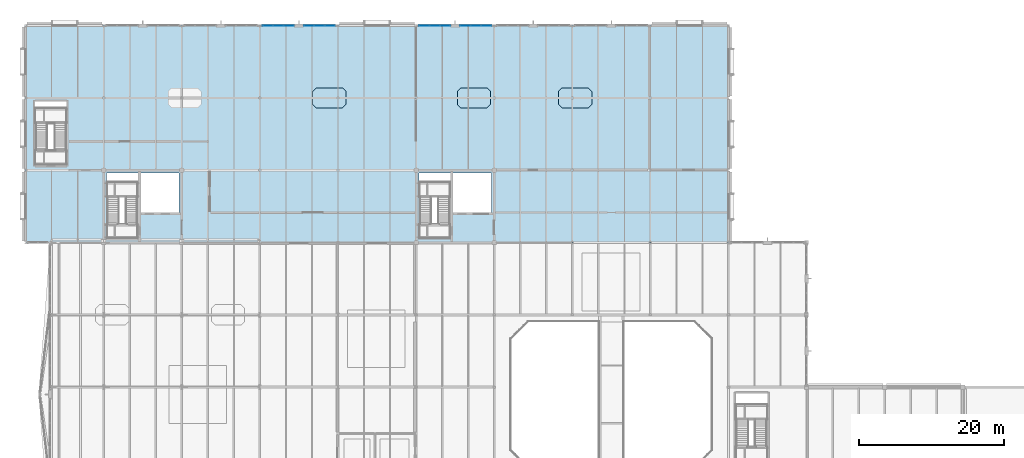
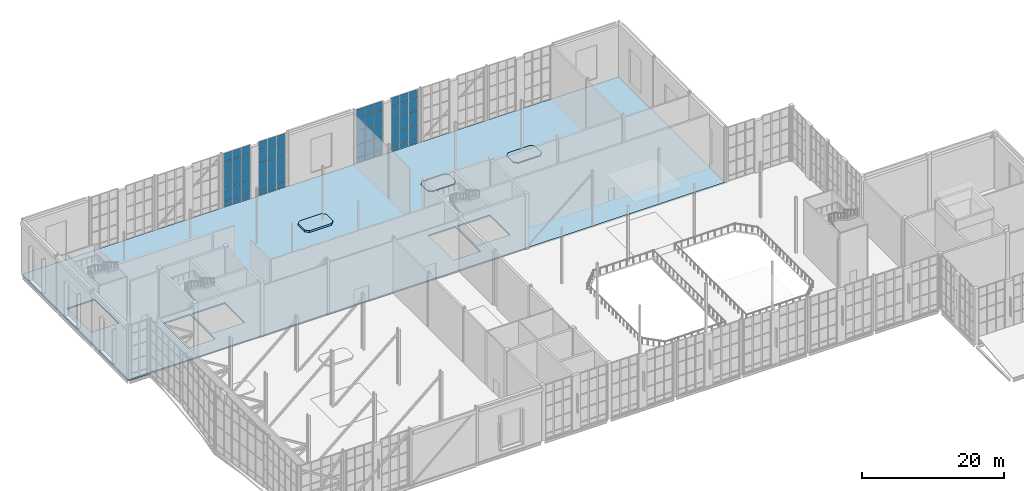
# One storey, part 71 of 100: 60 plates, 4 slabs, 4 elements without a shape of their own.
"""IFC4 building model written with IfcOpenShell, lengths in metres."""

from ifc_helpers import new_model, si_unit, direction, frame, origin, origin_2d, place, context, subcontext, project, spatial, polyline, rectangle, outline, extrude, material, layer, layer_set, type_object, element, aggregate, save


model = new_model("IFC4")

# Units and contexts
model_context = context("Model", 3, precision=1e-05, world=origin(), true_north=direction((0.0, 1.0)))
body_context = subcontext(model_context, "Body", "Model", "MODEL_VIEW")
ifc_project = project(units=[si_unit("LENGTHUNIT", "METRE"), si_unit("AREAUNIT", "SQUARE_METRE"), si_unit("VOLUMEUNIT", "CUBIC_METRE"), si_unit("PLANEANGLEUNIT", "RADIAN"), si_unit("MASSUNIT", "GRAM", prefix="KILO")], contexts=[model_context])

# Site, building, storey
site_placement = place(None, origin())
site = spatial("IfcSite", under=ifc_project, at=site_placement, CompositionType="ELEMENT")
building_placement = place(site_placement, origin())
building = spatial("IfcBuilding", under=site, at=building_placement, Name="Tasgan Crest Museum", CompositionType="ELEMENT")
storey_placement = place(building_placement, frame((0.0, 0.0, 14.39990234375)))
storey = spatial("IfcBuildingStorey", under=building, at=storey_placement, Name="L03", CompositionType="ELEMENT", Elevation=14.39990234375)

# Curtain wall, plates
ifc_material_1 = material(Name="Triple-Glazed Aluminium Curtain Wall", Category="aluminium")
ifc_layer_1 = layer(ifc_material_1, 0.179931640625, Name="CW-CORE-STRIP-96")
ifc_layer_set_1 = layer_set([ifc_layer_1], Name="Triple-Glazed Aluminium Curtain Wall")
curtain_wall_type_1 = type_object("IfcCurtainWallType", Name="CW-CORE-STRIP-96", PredefinedType="NOTDEFINED", material=ifc_layer_set_1)
curtain_wall_1_placement = place(storey_placement, origin())
curtain_wall_1 = element("IfcCurtainWall", 1, at=curtain_wall_1_placement, inside=storey, type_object=curtain_wall_type_1, Name="Curtain wall L03 129", PredefinedType="NOTDEFINED")
ifc_material_2 = material(Name="Insulated Spandrel Glass", Category="glass")
ifc_layer_2 = layer(ifc_material_2, 0.052001953125, Name="CW-PANEL-SPANDREL")
ifc_layer_set_2 = layer_set([ifc_layer_2], Name="Insulated Spandrel Glass")
plate_type_1 = type_object("IfcPlateType", Name="CW-PANEL-SPANDREL", PredefinedType="CURTAIN_PANEL", material=ifc_layer_set_2)
plate_1_placement = place(storey_placement, frame((63.688232421875, 112.0, 0.06005859375), z_axis=(0.0, 0.0, 1.0), x_axis=(-1.0, 0.0, 0.0)))
plate_1 = element("IfcPlate", 2, at=plate_1_placement, type_object=plate_type_1, Name="CW20 panel 1.1", PredefinedType="CURTAIN_PANEL", context=body_context, shape_type="SweptSolid", body=[
    extrude(rectangle(XDim=1.373291015625, YDim=0.028076171875, at=origin_2d()), origin(), (0.0, 0.0, 1.0), 0.81005859375),
])
plate_2_placement = place(storey_placement, frame((62.239990234375, 112.0, 0.06005859375), z_axis=(0.0, 0.0, 1.0), x_axis=(-1.0, 0.0, 0.0)))
plate_2 = element("IfcPlate", 3, at=plate_2_placement, type_object=plate_type_1, Name="CW20 panel 2.1", PredefinedType="CURTAIN_PANEL", context=body_context, shape_type="SweptSolid", body=[
    extrude(rectangle(XDim=1.4033203125, YDim=0.028076171875, at=origin_2d()), origin(), (0.0, 0.0, 1.0), 0.81005859375),
])
plate_3_placement = place(storey_placement, frame((60.791748046875, 112.0, 0.06005859375), z_axis=(0.0, 0.0, 1.0), x_axis=(-1.0, 0.0, 0.0)))
plate_3 = element("IfcPlate", 4, at=plate_3_placement, type_object=plate_type_1, Name="CW20 panel 3.1", PredefinedType="CURTAIN_PANEL", context=body_context, shape_type="SweptSolid", body=[
    extrude(rectangle(XDim=1.373291015625, YDim=0.028076171875, at=origin_2d()), origin(), (0.0, 0.0, 1.0), 0.81005859375),
])

curtain_wall_2_placement = place(storey_placement, origin())
curtain_wall_2 = element("IfcCurtainWall", 5, at=curtain_wall_2_placement, inside=storey, type_object=curtain_wall_type_1, Name="Curtain wall L03 130", PredefinedType="NOTDEFINED")
plate_4_placement = place(storey_placement, frame((58.00830078125, 112.0, 0.06005859375), z_axis=(0.0, 0.0, 1.0), x_axis=(-1.0, 0.0, 0.0)))
plate_4 = element("IfcPlate", 6, at=plate_4_placement, type_object=plate_type_1, Name="CW20 panel 1.1", PredefinedType="CURTAIN_PANEL", context=body_context, shape_type="SweptSolid", body=[
    extrude(rectangle(XDim=1.373291015625, YDim=0.028076171875, at=origin_2d()), origin(), (0.0, 0.0, 1.0), 0.81005859375),
])
plate_5_placement = place(storey_placement, frame((56.56005859375, 112.0, 0.06005859375), z_axis=(0.0, 0.0, 1.0), x_axis=(-1.0, 0.0, 0.0)))
plate_5 = element("IfcPlate", 7, at=plate_5_placement, type_object=plate_type_1, Name="CW20 panel 2.1", PredefinedType="CURTAIN_PANEL", context=body_context, shape_type="SweptSolid", body=[
    extrude(rectangle(XDim=1.4033203125, YDim=0.028076171875, at=origin_2d()), origin(), (0.0, 0.0, 1.0), 0.81005859375),
])
plate_6_placement = place(storey_placement, frame((55.111572265625, 112.0, 0.06005859375), z_axis=(0.0, 0.0, 1.0), x_axis=(-1.0, 0.0, 0.0)))
plate_6 = element("IfcPlate", 8, at=plate_6_placement, type_object=plate_type_1, Name="CW20 panel 3.1", PredefinedType="CURTAIN_PANEL", context=body_context, shape_type="SweptSolid", body=[
    extrude(rectangle(XDim=1.373291015625, YDim=0.028076171875, at=origin_2d()), origin(), (0.0, 0.0, 1.0), 0.81005859375),
])

ifc_material_3 = material(Name="Triple-Glazed Aluminium Curtain Wall", Category="aluminium")
ifc_layer_3 = layer(ifc_material_3, 0.179931640625, Name="CW-GAL-X-96")
ifc_layer_set_3 = layer_set([ifc_layer_3], Name="Triple-Glazed Aluminium Curtain Wall")
curtain_wall_type_2 = type_object("IfcCurtainWallType", Name="CW-GAL-X-96", PredefinedType="NOTDEFINED", material=ifc_layer_set_3)
curtain_wall_3_placement = place(storey_placement, origin())
curtain_wall_3 = element("IfcCurtainWall", 9, at=curtain_wall_3_placement, inside=storey, type_object=curtain_wall_type_2, Name="Curtain wall L03 131", PredefinedType="NOTDEFINED")
plate_7_placement = place(storey_placement, frame((42.08837890625, 112.0, 0.06005859375), z_axis=(0.0, 0.0, 1.0), x_axis=(-1.0, 0.0, 0.0)))
plate_7 = element("IfcPlate", 10, at=plate_7_placement, type_object=plate_type_1, Name="CW14 panel 1.1", PredefinedType="CURTAIN_PANEL", context=body_context, shape_type="SweptSolid", body=[
    extrude(rectangle(XDim=1.373291015625, YDim=0.028076171875, at=origin_2d()), origin(), (0.0, 0.0, 1.0), 0.81005859375),
])
plate_8_placement = place(storey_placement, frame((40.639892578125, 112.0, 0.06005859375), z_axis=(0.0, 0.0, 1.0), x_axis=(-1.0, 0.0, 0.0)))
plate_8 = element("IfcPlate", 11, at=plate_8_placement, type_object=plate_type_1, Name="CW14 panel 2.1", PredefinedType="CURTAIN_PANEL", context=body_context, shape_type="SweptSolid", body=[
    extrude(rectangle(XDim=1.4033203125, YDim=0.028076171875, at=origin_2d()), origin(), (0.0, 0.0, 1.0), 0.81005859375),
])
plate_9_placement = place(storey_placement, frame((39.191650390625, 112.0, 0.06005859375), z_axis=(0.0, 0.0, 1.0), x_axis=(-1.0, 0.0, 0.0)))
plate_9 = element("IfcPlate", 12, at=plate_9_placement, type_object=plate_type_1, Name="CW14 panel 3.1", PredefinedType="CURTAIN_PANEL", context=body_context, shape_type="SweptSolid", body=[
    extrude(rectangle(XDim=1.373291015625, YDim=0.028076171875, at=origin_2d()), origin(), (0.0, 0.0, 1.0), 0.81005859375),
])

curtain_wall_4_placement = place(storey_placement, origin())
curtain_wall_4 = element("IfcCurtainWall", 13, at=curtain_wall_4_placement, inside=storey, type_object=curtain_wall_type_2, Name="Curtain wall L03 132", PredefinedType="NOTDEFINED")
plate_10_placement = place(storey_placement, frame((36.408447265625, 112.0, 0.06005859375), z_axis=(0.0, 0.0, 1.0), x_axis=(-1.0, 0.0, 0.0)))
plate_10 = element("IfcPlate", 14, at=plate_10_placement, type_object=plate_type_1, Name="CW14 panel 1.1", PredefinedType="CURTAIN_PANEL", context=body_context, shape_type="SweptSolid", body=[
    extrude(rectangle(XDim=1.373291015625, YDim=0.028076171875, at=origin_2d()), origin(), (0.0, 0.0, 1.0), 0.81005859375),
])
plate_11_placement = place(storey_placement, frame((34.9599609375, 112.0, 0.06005859375), z_axis=(0.0, 0.0, 1.0), x_axis=(-1.0, 0.0, 0.0)))
plate_11 = element("IfcPlate", 15, at=plate_11_placement, type_object=plate_type_1, Name="CW14 panel 2.1", PredefinedType="CURTAIN_PANEL", context=body_context, shape_type="SweptSolid", body=[
    extrude(rectangle(XDim=1.4033203125, YDim=0.028076171875, at=origin_2d()), origin(), (0.0, 0.0, 1.0), 0.81005859375),
])
plate_12_placement = place(storey_placement, frame((33.51171875, 112.0, 0.06005859375), z_axis=(0.0, 0.0, 1.0), x_axis=(-1.0, 0.0, 0.0)))
plate_12 = element("IfcPlate", 16, at=plate_12_placement, type_object=plate_type_1, Name="CW14 panel 3.1", PredefinedType="CURTAIN_PANEL", context=body_context, shape_type="SweptSolid", body=[
    extrude(rectangle(XDim=1.373291015625, YDim=0.028076171875, at=origin_2d()), origin(), (0.0, 0.0, 1.0), 0.81005859375),
])

# Plate
ifc_material_4 = material(Name="Low-E Triple Glazing", Category="glass")
ifc_layer_4 = layer(ifc_material_4, 0.0439453125, Name="CW-PANEL-TRIPLE")
ifc_layer_set_4 = layer_set([ifc_layer_4], Name="Low-E Triple Glazing")
plate_type_2 = type_object("IfcPlateType", Name="CW-PANEL-TRIPLE", PredefinedType="CURTAIN_PANEL", material=ifc_layer_set_4)
plate_13_placement = place(storey_placement, frame((63.688232421875, 112.0, 0.93017578125), z_axis=(0.0, 0.0, 1.0), x_axis=(-1.0, 0.0, 0.0)))
plate_13 = element("IfcPlate", 17, at=plate_13_placement, type_object=plate_type_2, Name="CW20 panel 1.2", PredefinedType="CURTAIN_PANEL", context=body_context, shape_type="SweptSolid", body=[
    extrude(rectangle(XDim=1.373291015625, YDim=0.028076171875, at=origin_2d()), origin(), (0.0, 0.0, 1.0), 2.239990234375),
])

plate_14_placement = place(storey_placement, frame((63.688232421875, 112.0, 3.22998046875), z_axis=(0.0, 0.0, 1.0), x_axis=(-1.0, 0.0, 0.0)))
plate_14 = element("IfcPlate", 18, at=plate_14_placement, type_object=plate_type_2, Name="CW20 panel 1.3", PredefinedType="CURTAIN_PANEL", context=body_context, shape_type="SweptSolid", body=[
    extrude(rectangle(XDim=1.373291015625, YDim=0.028076171875, at=origin_2d()), origin(), (0.0, 0.0, 1.0), 2.340087890625),
])

plate_15_placement = place(storey_placement, frame((63.688232421875, 112.0, 5.63037109375), z_axis=(0.0, 0.0, 1.0), x_axis=(-1.0, 0.0, 0.0)))
plate_15 = element("IfcPlate", 19, at=plate_15_placement, type_object=plate_type_2, Name="CW20 panel 1.4", PredefinedType="CURTAIN_PANEL", context=body_context, shape_type="SweptSolid", body=[
    extrude(rectangle(XDim=1.373291015625, YDim=0.028076171875, at=origin_2d()), origin(), (0.0, 0.0, 1.0), 2.139892578125),
])

plate_16_placement = place(storey_placement, frame((63.688232421875, 112.0, 7.830078125), z_axis=(0.0, 0.0, 1.0), x_axis=(-1.0, 0.0, 0.0)))
plate_16 = element("IfcPlate", 20, at=plate_16_placement, type_object=plate_type_2, Name="CW20 panel 1.5", PredefinedType="CURTAIN_PANEL", context=body_context, shape_type="SweptSolid", body=[
    extrude(rectangle(XDim=1.373291015625, YDim=0.028076171875, at=origin_2d()), origin(), (0.0, 0.0, 1.0), 1.469970703125),
])

plate_17_placement = place(storey_placement, frame((62.239990234375, 112.0, 0.93017578125), z_axis=(0.0, 0.0, 1.0), x_axis=(-1.0, 0.0, 0.0)))
plate_17 = element("IfcPlate", 21, at=plate_17_placement, type_object=plate_type_2, Name="CW20 panel 2.2", PredefinedType="CURTAIN_PANEL", context=body_context, shape_type="SweptSolid", body=[
    extrude(rectangle(XDim=1.4033203125, YDim=0.028076171875, at=origin_2d()), origin(), (0.0, 0.0, 1.0), 2.239990234375),
])

plate_18_placement = place(storey_placement, frame((62.239990234375, 112.0, 3.22998046875), z_axis=(0.0, 0.0, 1.0), x_axis=(-1.0, 0.0, 0.0)))
plate_18 = element("IfcPlate", 22, at=plate_18_placement, type_object=plate_type_2, Name="CW20 panel 2.3", PredefinedType="CURTAIN_PANEL", context=body_context, shape_type="SweptSolid", body=[
    extrude(rectangle(XDim=1.4033203125, YDim=0.028076171875, at=origin_2d()), origin(), (0.0, 0.0, 1.0), 2.340087890625),
])

plate_19_placement = place(storey_placement, frame((62.239990234375, 112.0, 5.63037109375), z_axis=(0.0, 0.0, 1.0), x_axis=(-1.0, 0.0, 0.0)))
plate_19 = element("IfcPlate", 23, at=plate_19_placement, type_object=plate_type_2, Name="CW20 panel 2.4", PredefinedType="CURTAIN_PANEL", context=body_context, shape_type="SweptSolid", body=[
    extrude(rectangle(XDim=1.4033203125, YDim=0.028076171875, at=origin_2d()), origin(), (0.0, 0.0, 1.0), 2.139892578125),
])

plate_20_placement = place(storey_placement, frame((62.239990234375, 112.0, 7.830078125), z_axis=(0.0, 0.0, 1.0), x_axis=(-1.0, 0.0, 0.0)))
plate_20 = element("IfcPlate", 24, at=plate_20_placement, type_object=plate_type_2, Name="CW20 panel 2.5", PredefinedType="CURTAIN_PANEL", context=body_context, shape_type="SweptSolid", body=[
    extrude(rectangle(XDim=1.4033203125, YDim=0.028076171875, at=origin_2d()), origin(), (0.0, 0.0, 1.0), 1.469970703125),
])

plate_21_placement = place(storey_placement, frame((60.791748046875, 112.0, 0.93017578125), z_axis=(0.0, 0.0, 1.0), x_axis=(-1.0, 0.0, 0.0)))
plate_21 = element("IfcPlate", 25, at=plate_21_placement, type_object=plate_type_2, Name="CW20 panel 3.2", PredefinedType="CURTAIN_PANEL", context=body_context, shape_type="SweptSolid", body=[
    extrude(rectangle(XDim=1.373291015625, YDim=0.028076171875, at=origin_2d()), origin(), (0.0, 0.0, 1.0), 2.239990234375),
])

plate_22_placement = place(storey_placement, frame((60.791748046875, 112.0, 3.22998046875), z_axis=(0.0, 0.0, 1.0), x_axis=(-1.0, 0.0, 0.0)))
plate_22 = element("IfcPlate", 26, at=plate_22_placement, type_object=plate_type_2, Name="CW20 panel 3.3", PredefinedType="CURTAIN_PANEL", context=body_context, shape_type="SweptSolid", body=[
    extrude(rectangle(XDim=1.373291015625, YDim=0.028076171875, at=origin_2d()), origin(), (0.0, 0.0, 1.0), 2.340087890625),
])

plate_23_placement = place(storey_placement, frame((60.791748046875, 112.0, 5.63037109375), z_axis=(0.0, 0.0, 1.0), x_axis=(-1.0, 0.0, 0.0)))
plate_23 = element("IfcPlate", 27, at=plate_23_placement, type_object=plate_type_2, Name="CW20 panel 3.4", PredefinedType="CURTAIN_PANEL", context=body_context, shape_type="SweptSolid", body=[
    extrude(rectangle(XDim=1.373291015625, YDim=0.028076171875, at=origin_2d()), origin(), (0.0, 0.0, 1.0), 2.139892578125),
])

plate_24_placement = place(storey_placement, frame((60.791748046875, 112.0, 7.830078125), z_axis=(0.0, 0.0, 1.0), x_axis=(-1.0, 0.0, 0.0)))
plate_24 = element("IfcPlate", 28, at=plate_24_placement, type_object=plate_type_2, Name="CW20 panel 3.5", PredefinedType="CURTAIN_PANEL", context=body_context, shape_type="SweptSolid", body=[
    extrude(rectangle(XDim=1.373291015625, YDim=0.028076171875, at=origin_2d()), origin(), (0.0, 0.0, 1.0), 1.469970703125),
])

aggregate(curtain_wall_1, [plate_1, plate_13, plate_14, plate_15, plate_16, plate_2, plate_17, plate_18, plate_19, plate_20, plate_3, plate_21, plate_22, plate_23, plate_24])

plate_25_placement = place(storey_placement, frame((58.00830078125, 112.0, 0.93017578125), z_axis=(0.0, 0.0, 1.0), x_axis=(-1.0, 0.0, 0.0)))
plate_25 = element("IfcPlate", 29, at=plate_25_placement, type_object=plate_type_2, Name="CW20 panel 1.2", PredefinedType="CURTAIN_PANEL", context=body_context, shape_type="SweptSolid", body=[
    extrude(rectangle(XDim=1.373291015625, YDim=0.028076171875, at=origin_2d()), origin(), (0.0, 0.0, 1.0), 2.239990234375),
])

plate_26_placement = place(storey_placement, frame((58.00830078125, 112.0, 3.22998046875), z_axis=(0.0, 0.0, 1.0), x_axis=(-1.0, 0.0, 0.0)))
plate_26 = element("IfcPlate", 30, at=plate_26_placement, type_object=plate_type_2, Name="CW20 panel 1.3", PredefinedType="CURTAIN_PANEL", context=body_context, shape_type="SweptSolid", body=[
    extrude(rectangle(XDim=1.373291015625, YDim=0.028076171875, at=origin_2d()), origin(), (0.0, 0.0, 1.0), 2.340087890625),
])

plate_27_placement = place(storey_placement, frame((58.00830078125, 112.0, 5.63037109375), z_axis=(0.0, 0.0, 1.0), x_axis=(-1.0, 0.0, 0.0)))
plate_27 = element("IfcPlate", 31, at=plate_27_placement, type_object=plate_type_2, Name="CW20 panel 1.4", PredefinedType="CURTAIN_PANEL", context=body_context, shape_type="SweptSolid", body=[
    extrude(rectangle(XDim=1.373291015625, YDim=0.028076171875, at=origin_2d()), origin(), (0.0, 0.0, 1.0), 2.139892578125),
])

plate_28_placement = place(storey_placement, frame((58.00830078125, 112.0, 7.830078125), z_axis=(0.0, 0.0, 1.0), x_axis=(-1.0, 0.0, 0.0)))
plate_28 = element("IfcPlate", 32, at=plate_28_placement, type_object=plate_type_2, Name="CW20 panel 1.5", PredefinedType="CURTAIN_PANEL", context=body_context, shape_type="SweptSolid", body=[
    extrude(rectangle(XDim=1.373291015625, YDim=0.028076171875, at=origin_2d()), origin(), (0.0, 0.0, 1.0), 1.469970703125),
])

plate_29_placement = place(storey_placement, frame((56.56005859375, 112.0, 0.93017578125), z_axis=(0.0, 0.0, 1.0), x_axis=(-1.0, 0.0, 0.0)))
plate_29 = element("IfcPlate", 33, at=plate_29_placement, type_object=plate_type_2, Name="CW20 panel 2.2", PredefinedType="CURTAIN_PANEL", context=body_context, shape_type="SweptSolid", body=[
    extrude(rectangle(XDim=1.4033203125, YDim=0.028076171875, at=origin_2d()), origin(), (0.0, 0.0, 1.0), 2.239990234375),
])

plate_30_placement = place(storey_placement, frame((56.56005859375, 112.0, 3.22998046875), z_axis=(0.0, 0.0, 1.0), x_axis=(-1.0, 0.0, 0.0)))
plate_30 = element("IfcPlate", 34, at=plate_30_placement, type_object=plate_type_2, Name="CW20 panel 2.3", PredefinedType="CURTAIN_PANEL", context=body_context, shape_type="SweptSolid", body=[
    extrude(rectangle(XDim=1.4033203125, YDim=0.028076171875, at=origin_2d()), origin(), (0.0, 0.0, 1.0), 2.340087890625),
])

plate_31_placement = place(storey_placement, frame((56.56005859375, 112.0, 5.63037109375), z_axis=(0.0, 0.0, 1.0), x_axis=(-1.0, 0.0, 0.0)))
plate_31 = element("IfcPlate", 35, at=plate_31_placement, type_object=plate_type_2, Name="CW20 panel 2.4", PredefinedType="CURTAIN_PANEL", context=body_context, shape_type="SweptSolid", body=[
    extrude(rectangle(XDim=1.4033203125, YDim=0.028076171875, at=origin_2d()), origin(), (0.0, 0.0, 1.0), 2.139892578125),
])

plate_32_placement = place(storey_placement, frame((56.56005859375, 112.0, 7.830078125), z_axis=(0.0, 0.0, 1.0), x_axis=(-1.0, 0.0, 0.0)))
plate_32 = element("IfcPlate", 36, at=plate_32_placement, type_object=plate_type_2, Name="CW20 panel 2.5", PredefinedType="CURTAIN_PANEL", context=body_context, shape_type="SweptSolid", body=[
    extrude(rectangle(XDim=1.4033203125, YDim=0.028076171875, at=origin_2d()), origin(), (0.0, 0.0, 1.0), 1.469970703125),
])

plate_33_placement = place(storey_placement, frame((55.111572265625, 112.0, 0.93017578125), z_axis=(0.0, 0.0, 1.0), x_axis=(-1.0, 0.0, 0.0)))
plate_33 = element("IfcPlate", 37, at=plate_33_placement, type_object=plate_type_2, Name="CW20 panel 3.2", PredefinedType="CURTAIN_PANEL", context=body_context, shape_type="SweptSolid", body=[
    extrude(rectangle(XDim=1.373291015625, YDim=0.028076171875, at=origin_2d()), origin(), (0.0, 0.0, 1.0), 2.239990234375),
])

plate_34_placement = place(storey_placement, frame((55.111572265625, 112.0, 3.22998046875), z_axis=(0.0, 0.0, 1.0), x_axis=(-1.0, 0.0, 0.0)))
plate_34 = element("IfcPlate", 38, at=plate_34_placement, type_object=plate_type_2, Name="CW20 panel 3.3", PredefinedType="CURTAIN_PANEL", context=body_context, shape_type="SweptSolid", body=[
    extrude(rectangle(XDim=1.373291015625, YDim=0.028076171875, at=origin_2d()), origin(), (0.0, 0.0, 1.0), 2.340087890625),
])

plate_35_placement = place(storey_placement, frame((55.111572265625, 112.0, 5.63037109375), z_axis=(0.0, 0.0, 1.0), x_axis=(-1.0, 0.0, 0.0)))
plate_35 = element("IfcPlate", 39, at=plate_35_placement, type_object=plate_type_2, Name="CW20 panel 3.4", PredefinedType="CURTAIN_PANEL", context=body_context, shape_type="SweptSolid", body=[
    extrude(rectangle(XDim=1.373291015625, YDim=0.028076171875, at=origin_2d()), origin(), (0.0, 0.0, 1.0), 2.139892578125),
])

plate_36_placement = place(storey_placement, frame((55.111572265625, 112.0, 7.830078125), z_axis=(0.0, 0.0, 1.0), x_axis=(-1.0, 0.0, 0.0)))
plate_36 = element("IfcPlate", 40, at=plate_36_placement, type_object=plate_type_2, Name="CW20 panel 3.5", PredefinedType="CURTAIN_PANEL", context=body_context, shape_type="SweptSolid", body=[
    extrude(rectangle(XDim=1.373291015625, YDim=0.028076171875, at=origin_2d()), origin(), (0.0, 0.0, 1.0), 1.469970703125),
])

aggregate(curtain_wall_2, [plate_4, plate_25, plate_26, plate_27, plate_28, plate_5, plate_29, plate_30, plate_31, plate_32, plate_6, plate_33, plate_34, plate_35, plate_36])

plate_37_placement = place(storey_placement, frame((42.08837890625, 112.0, 0.93017578125), z_axis=(0.0, 0.0, 1.0), x_axis=(-1.0, 0.0, 0.0)))
plate_37 = element("IfcPlate", 41, at=plate_37_placement, type_object=plate_type_2, Name="CW14 panel 1.2", PredefinedType="CURTAIN_PANEL", context=body_context, shape_type="SweptSolid", body=[
    extrude(rectangle(XDim=1.373291015625, YDim=0.028076171875, at=origin_2d()), origin(), (0.0, 0.0, 1.0), 2.239990234375),
])

plate_38_placement = place(storey_placement, frame((42.08837890625, 112.0, 3.22998046875), z_axis=(0.0, 0.0, 1.0), x_axis=(-1.0, 0.0, 0.0)))
plate_38 = element("IfcPlate", 42, at=plate_38_placement, type_object=plate_type_2, Name="CW14 panel 1.3", PredefinedType="CURTAIN_PANEL", context=body_context, shape_type="SweptSolid", body=[
    extrude(rectangle(XDim=1.373291015625, YDim=0.028076171875, at=origin_2d()), origin(), (0.0, 0.0, 1.0), 2.340087890625),
])

plate_39_placement = place(storey_placement, frame((42.08837890625, 112.0, 5.63037109375), z_axis=(0.0, 0.0, 1.0), x_axis=(-1.0, 0.0, 0.0)))
plate_39 = element("IfcPlate", 43, at=plate_39_placement, type_object=plate_type_2, Name="CW14 panel 1.4", PredefinedType="CURTAIN_PANEL", context=body_context, shape_type="SweptSolid", body=[
    extrude(rectangle(XDim=1.373291015625, YDim=0.028076171875, at=origin_2d()), origin(), (0.0, 0.0, 1.0), 2.139892578125),
])

plate_40_placement = place(storey_placement, frame((42.08837890625, 112.0, 7.830078125), z_axis=(0.0, 0.0, 1.0), x_axis=(-1.0, 0.0, 0.0)))
plate_40 = element("IfcPlate", 44, at=plate_40_placement, type_object=plate_type_2, Name="CW14 panel 1.5", PredefinedType="CURTAIN_PANEL", context=body_context, shape_type="SweptSolid", body=[
    extrude(rectangle(XDim=1.373291015625, YDim=0.028076171875, at=origin_2d()), origin(), (0.0, 0.0, 1.0), 1.469970703125),
])

plate_41_placement = place(storey_placement, frame((40.639892578125, 112.0, 0.93017578125), z_axis=(0.0, 0.0, 1.0), x_axis=(-1.0, 0.0, 0.0)))
plate_41 = element("IfcPlate", 45, at=plate_41_placement, type_object=plate_type_2, Name="CW14 panel 2.2", PredefinedType="CURTAIN_PANEL", context=body_context, shape_type="SweptSolid", body=[
    extrude(rectangle(XDim=1.4033203125, YDim=0.028076171875, at=origin_2d()), origin(), (0.0, 0.0, 1.0), 2.239990234375),
])

plate_42_placement = place(storey_placement, frame((40.639892578125, 112.0, 3.22998046875), z_axis=(0.0, 0.0, 1.0), x_axis=(-1.0, 0.0, 0.0)))
plate_42 = element("IfcPlate", 46, at=plate_42_placement, type_object=plate_type_2, Name="CW14 panel 2.3", PredefinedType="CURTAIN_PANEL", context=body_context, shape_type="SweptSolid", body=[
    extrude(rectangle(XDim=1.4033203125, YDim=0.028076171875, at=origin_2d()), origin(), (0.0, 0.0, 1.0), 2.340087890625),
])

plate_43_placement = place(storey_placement, frame((40.639892578125, 112.0, 5.63037109375), z_axis=(0.0, 0.0, 1.0), x_axis=(-1.0, 0.0, 0.0)))
plate_43 = element("IfcPlate", 47, at=plate_43_placement, type_object=plate_type_2, Name="CW14 panel 2.4", PredefinedType="CURTAIN_PANEL", context=body_context, shape_type="SweptSolid", body=[
    extrude(rectangle(XDim=1.4033203125, YDim=0.028076171875, at=origin_2d()), origin(), (0.0, 0.0, 1.0), 2.139892578125),
])

plate_44_placement = place(storey_placement, frame((40.639892578125, 112.0, 7.830078125), z_axis=(0.0, 0.0, 1.0), x_axis=(-1.0, 0.0, 0.0)))
plate_44 = element("IfcPlate", 48, at=plate_44_placement, type_object=plate_type_2, Name="CW14 panel 2.5", PredefinedType="CURTAIN_PANEL", context=body_context, shape_type="SweptSolid", body=[
    extrude(rectangle(XDim=1.4033203125, YDim=0.028076171875, at=origin_2d()), origin(), (0.0, 0.0, 1.0), 1.469970703125),
])

plate_45_placement = place(storey_placement, frame((39.191650390625, 112.0, 0.93017578125), z_axis=(0.0, 0.0, 1.0), x_axis=(-1.0, 0.0, 0.0)))
plate_45 = element("IfcPlate", 49, at=plate_45_placement, type_object=plate_type_2, Name="CW14 panel 3.2", PredefinedType="CURTAIN_PANEL", context=body_context, shape_type="SweptSolid", body=[
    extrude(rectangle(XDim=1.373291015625, YDim=0.028076171875, at=origin_2d()), origin(), (0.0, 0.0, 1.0), 2.239990234375),
])

plate_46_placement = place(storey_placement, frame((39.191650390625, 112.0, 3.22998046875), z_axis=(0.0, 0.0, 1.0), x_axis=(-1.0, 0.0, 0.0)))
plate_46 = element("IfcPlate", 50, at=plate_46_placement, type_object=plate_type_2, Name="CW14 panel 3.3", PredefinedType="CURTAIN_PANEL", context=body_context, shape_type="SweptSolid", body=[
    extrude(rectangle(XDim=1.373291015625, YDim=0.028076171875, at=origin_2d()), origin(), (0.0, 0.0, 1.0), 2.340087890625),
])

plate_47_placement = place(storey_placement, frame((39.191650390625, 112.0, 5.63037109375), z_axis=(0.0, 0.0, 1.0), x_axis=(-1.0, 0.0, 0.0)))
plate_47 = element("IfcPlate", 51, at=plate_47_placement, type_object=plate_type_2, Name="CW14 panel 3.4", PredefinedType="CURTAIN_PANEL", context=body_context, shape_type="SweptSolid", body=[
    extrude(rectangle(XDim=1.373291015625, YDim=0.028076171875, at=origin_2d()), origin(), (0.0, 0.0, 1.0), 2.139892578125),
])

plate_48_placement = place(storey_placement, frame((39.191650390625, 112.0, 7.830078125), z_axis=(0.0, 0.0, 1.0), x_axis=(-1.0, 0.0, 0.0)))
plate_48 = element("IfcPlate", 52, at=plate_48_placement, type_object=plate_type_2, Name="CW14 panel 3.5", PredefinedType="CURTAIN_PANEL", context=body_context, shape_type="SweptSolid", body=[
    extrude(rectangle(XDim=1.373291015625, YDim=0.028076171875, at=origin_2d()), origin(), (0.0, 0.0, 1.0), 1.469970703125),
])

aggregate(curtain_wall_3, [plate_7, plate_37, plate_38, plate_39, plate_40, plate_8, plate_41, plate_42, plate_43, plate_44, plate_9, plate_45, plate_46, plate_47, plate_48])

plate_49_placement = place(storey_placement, frame((36.408447265625, 112.0, 0.93017578125), z_axis=(0.0, 0.0, 1.0), x_axis=(-1.0, 0.0, 0.0)))
plate_49 = element("IfcPlate", 53, at=plate_49_placement, type_object=plate_type_2, Name="CW14 panel 1.2", PredefinedType="CURTAIN_PANEL", context=body_context, shape_type="SweptSolid", body=[
    extrude(rectangle(XDim=1.373291015625, YDim=0.028076171875, at=origin_2d()), origin(), (0.0, 0.0, 1.0), 2.239990234375),
])

plate_50_placement = place(storey_placement, frame((36.408447265625, 112.0, 3.22998046875), z_axis=(0.0, 0.0, 1.0), x_axis=(-1.0, 0.0, 0.0)))
plate_50 = element("IfcPlate", 54, at=plate_50_placement, type_object=plate_type_2, Name="CW14 panel 1.3", PredefinedType="CURTAIN_PANEL", context=body_context, shape_type="SweptSolid", body=[
    extrude(rectangle(XDim=1.373291015625, YDim=0.028076171875, at=origin_2d()), origin(), (0.0, 0.0, 1.0), 2.340087890625),
])

plate_51_placement = place(storey_placement, frame((36.408447265625, 112.0, 5.63037109375), z_axis=(0.0, 0.0, 1.0), x_axis=(-1.0, 0.0, 0.0)))
plate_51 = element("IfcPlate", 55, at=plate_51_placement, type_object=plate_type_2, Name="CW14 panel 1.4", PredefinedType="CURTAIN_PANEL", context=body_context, shape_type="SweptSolid", body=[
    extrude(rectangle(XDim=1.373291015625, YDim=0.028076171875, at=origin_2d()), origin(), (0.0, 0.0, 1.0), 2.139892578125),
])

plate_52_placement = place(storey_placement, frame((36.408447265625, 112.0, 7.830078125), z_axis=(0.0, 0.0, 1.0), x_axis=(-1.0, 0.0, 0.0)))
plate_52 = element("IfcPlate", 56, at=plate_52_placement, type_object=plate_type_2, Name="CW14 panel 1.5", PredefinedType="CURTAIN_PANEL", context=body_context, shape_type="SweptSolid", body=[
    extrude(rectangle(XDim=1.373291015625, YDim=0.028076171875, at=origin_2d()), origin(), (0.0, 0.0, 1.0), 1.469970703125),
])

plate_53_placement = place(storey_placement, frame((34.9599609375, 112.0, 0.93017578125), z_axis=(0.0, 0.0, 1.0), x_axis=(-1.0, 0.0, 0.0)))
plate_53 = element("IfcPlate", 57, at=plate_53_placement, type_object=plate_type_2, Name="CW14 panel 2.2", PredefinedType="CURTAIN_PANEL", context=body_context, shape_type="SweptSolid", body=[
    extrude(rectangle(XDim=1.4033203125, YDim=0.028076171875, at=origin_2d()), origin(), (0.0, 0.0, 1.0), 2.239990234375),
])

plate_54_placement = place(storey_placement, frame((34.9599609375, 112.0, 3.22998046875), z_axis=(0.0, 0.0, 1.0), x_axis=(-1.0, 0.0, 0.0)))
plate_54 = element("IfcPlate", 58, at=plate_54_placement, type_object=plate_type_2, Name="CW14 panel 2.3", PredefinedType="CURTAIN_PANEL", context=body_context, shape_type="SweptSolid", body=[
    extrude(rectangle(XDim=1.4033203125, YDim=0.028076171875, at=origin_2d()), origin(), (0.0, 0.0, 1.0), 2.340087890625),
])

plate_55_placement = place(storey_placement, frame((34.9599609375, 112.0, 5.63037109375), z_axis=(0.0, 0.0, 1.0), x_axis=(-1.0, 0.0, 0.0)))
plate_55 = element("IfcPlate", 59, at=plate_55_placement, type_object=plate_type_2, Name="CW14 panel 2.4", PredefinedType="CURTAIN_PANEL", context=body_context, shape_type="SweptSolid", body=[
    extrude(rectangle(XDim=1.4033203125, YDim=0.028076171875, at=origin_2d()), origin(), (0.0, 0.0, 1.0), 2.139892578125),
])

plate_56_placement = place(storey_placement, frame((34.9599609375, 112.0, 7.830078125), z_axis=(0.0, 0.0, 1.0), x_axis=(-1.0, 0.0, 0.0)))
plate_56 = element("IfcPlate", 60, at=plate_56_placement, type_object=plate_type_2, Name="CW14 panel 2.5", PredefinedType="CURTAIN_PANEL", context=body_context, shape_type="SweptSolid", body=[
    extrude(rectangle(XDim=1.4033203125, YDim=0.028076171875, at=origin_2d()), origin(), (0.0, 0.0, 1.0), 1.469970703125),
])

plate_57_placement = place(storey_placement, frame((33.51171875, 112.0, 0.93017578125), z_axis=(0.0, 0.0, 1.0), x_axis=(-1.0, 0.0, 0.0)))
plate_57 = element("IfcPlate", 61, at=plate_57_placement, type_object=plate_type_2, Name="CW14 panel 3.2", PredefinedType="CURTAIN_PANEL", context=body_context, shape_type="SweptSolid", body=[
    extrude(rectangle(XDim=1.373291015625, YDim=0.028076171875, at=origin_2d()), origin(), (0.0, 0.0, 1.0), 2.239990234375),
])

plate_58_placement = place(storey_placement, frame((33.51171875, 112.0, 3.22998046875), z_axis=(0.0, 0.0, 1.0), x_axis=(-1.0, 0.0, 0.0)))
plate_58 = element("IfcPlate", 62, at=plate_58_placement, type_object=plate_type_2, Name="CW14 panel 3.3", PredefinedType="CURTAIN_PANEL", context=body_context, shape_type="SweptSolid", body=[
    extrude(rectangle(XDim=1.373291015625, YDim=0.028076171875, at=origin_2d()), origin(), (0.0, 0.0, 1.0), 2.340087890625),
])

plate_59_placement = place(storey_placement, frame((33.51171875, 112.0, 5.63037109375), z_axis=(0.0, 0.0, 1.0), x_axis=(-1.0, 0.0, 0.0)))
plate_59 = element("IfcPlate", 63, at=plate_59_placement, type_object=plate_type_2, Name="CW14 panel 3.4", PredefinedType="CURTAIN_PANEL", context=body_context, shape_type="SweptSolid", body=[
    extrude(rectangle(XDim=1.373291015625, YDim=0.028076171875, at=origin_2d()), origin(), (0.0, 0.0, 1.0), 2.139892578125),
])

plate_60_placement = place(storey_placement, frame((33.51171875, 112.0, 7.830078125), z_axis=(0.0, 0.0, 1.0), x_axis=(-1.0, 0.0, 0.0)))
plate_60 = element("IfcPlate", 64, at=plate_60_placement, type_object=plate_type_2, Name="CW14 panel 3.5", PredefinedType="CURTAIN_PANEL", context=body_context, shape_type="SweptSolid", body=[
    extrude(rectangle(XDim=1.373291015625, YDim=0.028076171875, at=origin_2d()), origin(), (0.0, 0.0, 1.0), 1.469970703125),
])

aggregate(curtain_wall_4, [plate_10, plate_49, plate_50, plate_51, plate_52, plate_11, plate_53, plate_54, plate_55, plate_56, plate_12, plate_57, plate_58, plate_59, plate_60])

# Slabs
ifc_material_5 = material(Name="Concrete C35/45", Category="concrete")
ifc_layer_5 = layer(ifc_material_5, 0.139892578125, Name="SL-DAIS-T01")
ifc_layer_set_5 = layer_set([ifc_layer_5], Name="Concrete C35/45")
slab_type_1 = type_object("IfcSlabType", Name="SL-DAIS-T01", PredefinedType="FLOOR", material=ifc_layer_set_5)
slab_1_placement = place(storey_placement, origin())
element("IfcSlab", 65, at=slab_1_placement, inside=storey, type_object=slab_type_1, Name="Exhibition specimen dais L03-31", PredefinedType="FLOOR", context=body_context, shape_type="SweptSolid", body=[
    extrude(outline(polyline([(60.199951171875, 100.60009765625), (63.800048828125, 100.60009765625), (64.300048828125, 101.10009765625), (64.300048828125, 102.89990234375), (63.800048828125, 103.39990234375), (60.199951171875, 103.39990234375), (59.699951171875, 102.89990234375), (59.699951171875, 101.10009765625), (60.199951171875, 100.60009765625)])), origin(), (0.0, 0.0, 1.0), 0.14013671875),
])
ifc_material_6 = material(Name="Concrete C35/45", Category="concrete")
ifc_layer_6 = layer(ifc_material_6, 0.14990234375, Name="SL-DAIS-T02")
ifc_layer_set_6 = layer_set([ifc_layer_6], Name="Concrete C35/45")
slab_type_2 = type_object("IfcSlabType", Name="SL-DAIS-T02", PredefinedType="FLOOR", material=ifc_layer_set_6)
slab_2_placement = place(storey_placement, origin())
element("IfcSlab", 66, at=slab_2_placement, inside=storey, type_object=slab_type_2, Name="Exhibition specimen dais L03-32", PredefinedType="FLOOR", context=body_context, shape_type="SweptSolid", body=[
    extrude(outline(polyline([(74.199951171875, 100.60009765625), (77.800048828125, 100.60009765625), (78.300048828125, 101.10009765625), (78.300048828125, 102.89990234375), (77.800048828125, 103.39990234375), (74.199951171875, 103.39990234375), (73.699951171875, 102.89990234375), (73.699951171875, 101.10009765625), (74.199951171875, 100.60009765625)])), origin(), (0.0, 0.0, 1.0), 0.150146484375),
])
ifc_material_7 = material(Name="Concrete C35/45", Category="concrete")
ifc_layer_7 = layer(ifc_material_7, 0.31005859375, Name="SL-DAIS-T10")
ifc_layer_set_7 = layer_set([ifc_layer_7], Name="Concrete C35/45")
slab_type_3 = type_object("IfcSlabType", Name="SL-DAIS-T10", PredefinedType="FLOOR", material=ifc_layer_set_7)
slab_3_placement = place(storey_placement, origin())
element("IfcSlab", 67, at=slab_3_placement, inside=storey, type_object=slab_type_3, Name="Exhibition specimen dais L03-30", PredefinedType="FLOOR", context=body_context, shape_type="SweptSolid", body=[
    extrude(outline(polyline([(40.199951171875, 100.60009765625), (43.800048828125, 100.60009765625), (44.300048828125, 101.10009765625), (44.300048828125, 102.89990234375), (43.800048828125, 103.39990234375), (40.199951171875, 103.39990234375), (39.699951171875, 102.89990234375), (39.699951171875, 101.10009765625), (40.199951171875, 100.60009765625)])), origin(), (0.0, 0.0, 1.0), 0.31005859375),
])
ifc_material_8 = material(Name="Concrete C35/45", Category="concrete")
ifc_layer_8 = layer(ifc_material_8, 0.239990234375, Name="SL-FLR-240")
ifc_layer_set_8 = layer_set([ifc_layer_8], Name="Concrete C35/45")
slab_type_4 = type_object("IfcSlabType", Name="SL-FLR-240", PredefinedType="FLOOR", material=ifc_layer_set_8)
slab_4_placement = place(storey_placement, frame((0.0, 0.0, -0.239990234375)))
element("IfcSlab", 68, at=slab_4_placement, inside=storey, type_object=slab_type_4, Name="Floor slab L03 V5", PredefinedType="FLOOR", context=body_context, shape_type="SweptSolid", body=[
    extrude(outline(polyline([(0.0, 82.0), (97.199951171875, 82.0), (97.199951171875, 112.0), (0.0, 112.0), (0.0, 82.0)]), holes=[polyline([(11.179931640625, 84.550048828125), (15.60009765625, 84.550048828125), (15.60009765625, 91.6201171875), (11.179931640625, 91.6201171875), (11.179931640625, 84.550048828125)]), polyline([(15.85009765625, 86.0), (21.219970703125, 86.0), (21.219970703125, 91.6201171875), (15.85009765625, 91.6201171875), (15.85009765625, 86.0)]), polyline([(54.3798828125, 84.550048828125), (58.800048828125, 84.550048828125), (58.800048828125, 91.6201171875), (54.3798828125, 91.6201171875), (54.3798828125, 84.550048828125)]), polyline([(59.050048828125, 86.0), (64.419921875, 86.0), (64.419921875, 91.6201171875), (59.050048828125, 91.6201171875), (59.050048828125, 86.0)]), polyline([(1.25, 94.75), (5.75, 94.75), (5.75, 101.550048828125), (1.25, 101.550048828125), (1.25, 94.75)])]), origin(), (0.0, 0.0, 1.0), 0.239990234375),
])

save(model, "model.ifc")
